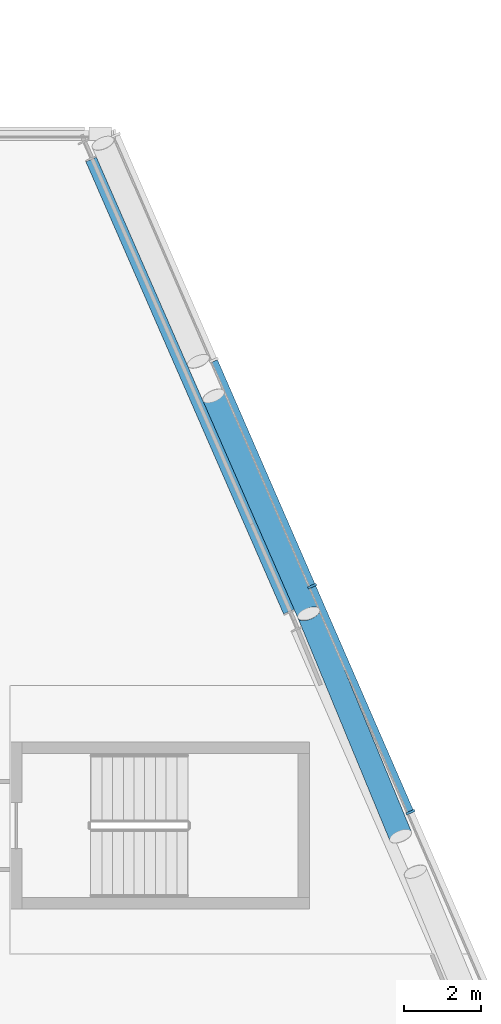
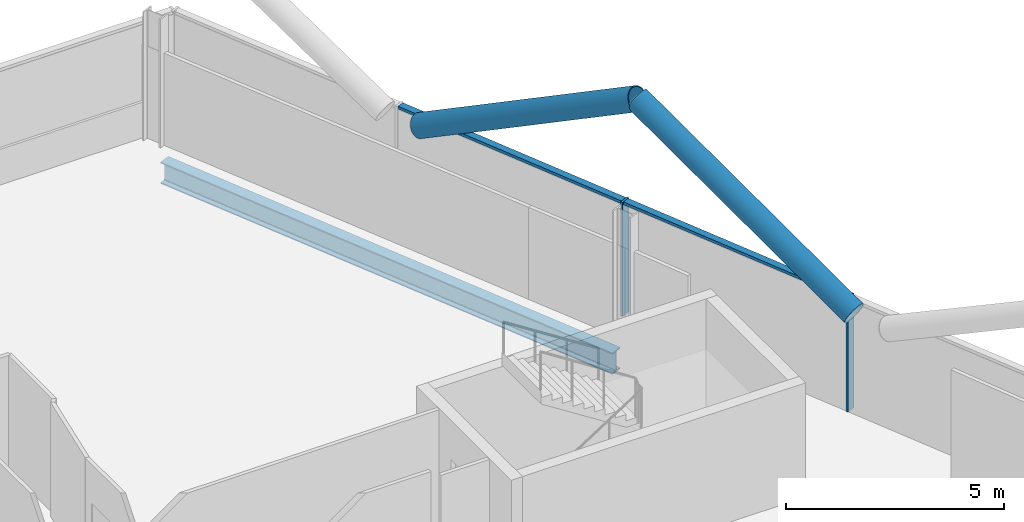
# One storey, part 9 of 26: 6 members, 1 beam, 1 element without a shape of its own.
"""IFC4 building model written with IfcOpenShell, lengths in metres."""

from ifc_helpers import new_model, si_unit, direction, frame, origin, origin_2d, place, context, subcontext, project, spatial, rectangle, hollow_circle, i_section, extrude, material, material_profile, profile_set, type_object, element, aggregate, save


model = new_model("IFC4")

# Units and contexts
model_context = context("Model", 3, precision=1e-05, world=origin(), true_north=direction((0.0, 1.0)))
body_context = subcontext(model_context, "Body", "Model", "MODEL_VIEW")
ifc_project = project(units=[si_unit("LENGTHUNIT", "METRE"), si_unit("AREAUNIT", "SQUARE_METRE"), si_unit("VOLUMEUNIT", "CUBIC_METRE"), si_unit("PLANEANGLEUNIT", "RADIAN"), si_unit("MASSUNIT", "GRAM", prefix="KILO")], contexts=[model_context])

# Site, building, storey
site_placement = place(None, origin())
site = spatial("IfcSite", under=ifc_project, at=site_placement, CompositionType="ELEMENT")
building_placement = place(site_placement, origin())
building = spatial("IfcBuilding", under=site, at=building_placement, Name="Wharfspan Tower", CompositionType="ELEMENT")
storey_placement = place(building_placement, frame((0.0, 0.0, 235.899902)))
storey = spatial("IfcBuildingStorey", under=building, at=storey_placement, Name="L59", CompositionType="ELEMENT", Elevation=235.899902)

# Beam
ifc_material_1 = material(Name="Steel S355J2", Category="steel")
ifc_material_profile_1 = material_profile(ifc_material_1, i_section(OverallWidth=0.300049, OverallDepth=0.600098, WebThickness=0.015381, FlangeThickness=0.030029, FilletRadius=0.0271, at=origin_2d()))
ifc_profile_set_1 = profile_set([ifc_material_profile_1], Name="Steel S355J2")
beam_type = type_object("IfcBeamType", Name="Edge beam HEB 600", PredefinedType="SPANDREL", material=ifc_profile_set_1)
beam_placement = place(storey_placement, frame((74.13208, 29.53125, -0.699951), z_axis=(-0.400619, 0.916245, 0.0), x_axis=(-0.916245, -0.400619, 0.0)))
element("IfcBeam", 1, at=beam_placement, inside=storey, type_object=beam_type, Name="Edge beam E L59 PE.2 to PE.3", PredefinedType="SPANDREL", context=body_context, shape_type="SweptSolid", body=[
    extrude(i_section(OverallWidth=0.300049, OverallDepth=0.600098, WebThickness=0.015381, FlangeThickness=0.030029, FilletRadius=0.0271, at=origin_2d()), origin(), (0.0, 0.0, 1.0), 12.883545),
])

# Curtain wall, members
ifc_material_2 = material(Name="Aluminium 6063-T6", Category="aluminium")
curtain_wall_type = type_object("IfcCurtainWallType", Name="CURTAIN WALL PROW AND END", PredefinedType="NOTDEFINED", material=ifc_material_2)
curtain_wall_placement = place(storey_placement, origin())
curtain_wall = element("IfcCurtainWall", 2, at=curtain_wall_placement, inside=storey, type_object=curtain_wall_type, Name="Curtain wall E", PredefinedType="NOTDEFINED")
ifc_material_profile_2 = material_profile(ifc_material_2, rectangle(XDim=0.23999, YDim=0.060059, at=origin_2d()))
ifc_profile_set_2 = profile_set([ifc_material_profile_2], Name="Aluminium 6063-T6")
member_type_1 = type_object("IfcMemberType", Name="MULLION PROW AND END 60x240", PredefinedType="MULLION", material=ifc_profile_set_2)
member_1_placement = place(storey_placement, frame((77.304443, 24.300049, 0.0), z_axis=(0.0, 0.0, 1.0), x_axis=(-0.917072, -0.398727, 0.0)))
member_1 = element("IfcMember", 3, at=member_1_placement, type_object=member_type_1, Name="Curtain wall E mullion 4", PredefinedType="MULLION", context=body_context, shape_type="SweptSolid", body=[
    extrude(rectangle(XDim=0.23999, YDim=0.060059, at=origin_2d()), origin(), (0.0, 0.0, 1.0), 3.200195),
])
member_2_placement = place(storey_placement, frame((74.739014, 30.199951, 0.0), z_axis=(0.0, 0.0, 1.0), x_axis=(-0.917072, -0.398727, 0.0)))
member_2 = element("IfcMember", 4, at=member_2_placement, type_object=member_type_1, Name="Curtain wall E mullion 5", PredefinedType="MULLION", context=body_context, shape_type="SweptSolid", body=[
    extrude(rectangle(XDim=0.23999, YDim=0.060059, at=origin_2d()), origin(), (0.0, 0.0, 1.0), 3.200195),
])

# Members
ifc_material_3 = material(Name="Steel S460NH", Category="steel")
ifc_material_profile_3 = material_profile(ifc_material_3, hollow_circle(Radius=0.304932, WallThickness=0.024902, at=origin_2d()))
ifc_profile_set_3 = profile_set([ifc_material_profile_3], Name="Steel S460NH")
member_type_2 = type_object("IfcMemberType", Name="Mega brace CHS 610x25", PredefinedType="BRACE", material=ifc_profile_set_3)
member_3_placement = place(storey_placement, frame((77.047607, 23.675049, 3.16748), z_axis=(-0.337038, 0.81638, 0.468967), x_axis=(-0.924329, -0.381603, -2e-06)))
element("IfcMember", 5, at=member_3_placement, inside=storey, type_object=member_type_2, Name="Mega brace E5 L59 part 2", PredefinedType="BRACE", context=body_context, shape_type="SweptSolid", body=[
    extrude(hollow_circle(Radius=0.304932, WallThickness=0.024902, at=origin_2d()), origin(), (0.0, 0.0, 1.0), 7.106201),
])
member_4_placement = place(storey_placement, frame((72.16748, 35.160156, 3.166748), z_axis=(0.352889, -0.807113, 0.473327), x_axis=(0.916248, 0.400606, 1e-06)))
element("IfcMember", 6, at=member_4_placement, inside=storey, type_object=member_type_2, Name="Mega brace E6 L59 part 4", PredefinedType="BRACE", context=body_context, shape_type="SweptSolid", body=[
    extrude(hollow_circle(Radius=0.304932, WallThickness=0.024902, at=origin_2d()), origin(), (0.0, 0.0, 1.0), 7.042236),
])

# Member
ifc_material_profile_4 = material_profile(ifc_material_2, rectangle(XDim=0.179932, YDim=0.080078, at=origin_2d()))
ifc_profile_set_4 = profile_set([ifc_material_profile_4], Name="Aluminium 6063-T6")
member_type_3 = type_object("IfcMemberType", Name="TRANSOM PROW AND END 80x180", PredefinedType="USERDEFINED", material=ifc_profile_set_4)
member_5_placement = place(storey_placement, frame((77.29248, 24.327393, 3.160156), z_axis=(-0.39874, 0.917064, 0.0), x_axis=(-0.917064, -0.39874, 0.0)))
member_5 = element("IfcMember", 7, at=member_5_placement, type_object=member_type_3, Name="Curtain wall E transom 4", ObjectType="TRANSOM", PredefinedType="USERDEFINED", context=body_context, shape_type="SweptSolid", body=[
    extrude(rectangle(XDim=0.179932, YDim=0.080078, at=origin_2d()), origin(), (0.0, 0.0, 1.0), 6.373779),
])

member_6_placement = place(storey_placement, frame((74.727051, 30.227539, 3.160156), z_axis=(-0.398722, 0.917072, 0.0), x_axis=(-0.917072, -0.398722, 0.0)))
member_6 = element("IfcMember", 8, at=member_6_placement, type_object=member_type_3, Name="Curtain wall E transom 5", ObjectType="TRANSOM", PredefinedType="USERDEFINED", context=body_context, shape_type="SweptSolid", body=[
    extrude(rectangle(XDim=0.179932, YDim=0.080078, at=origin_2d()), origin(), (0.0, 0.0, 1.0), 6.373535),
])

aggregate(curtain_wall, [member_1, member_2, member_5, member_6])

save(model, "model.ifc")
